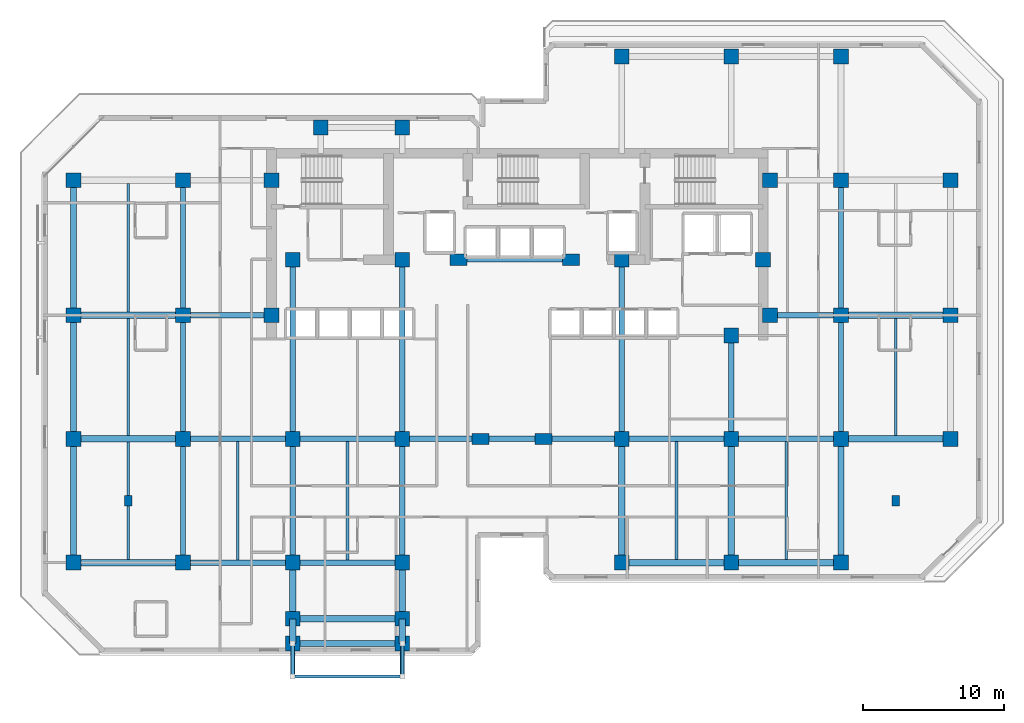
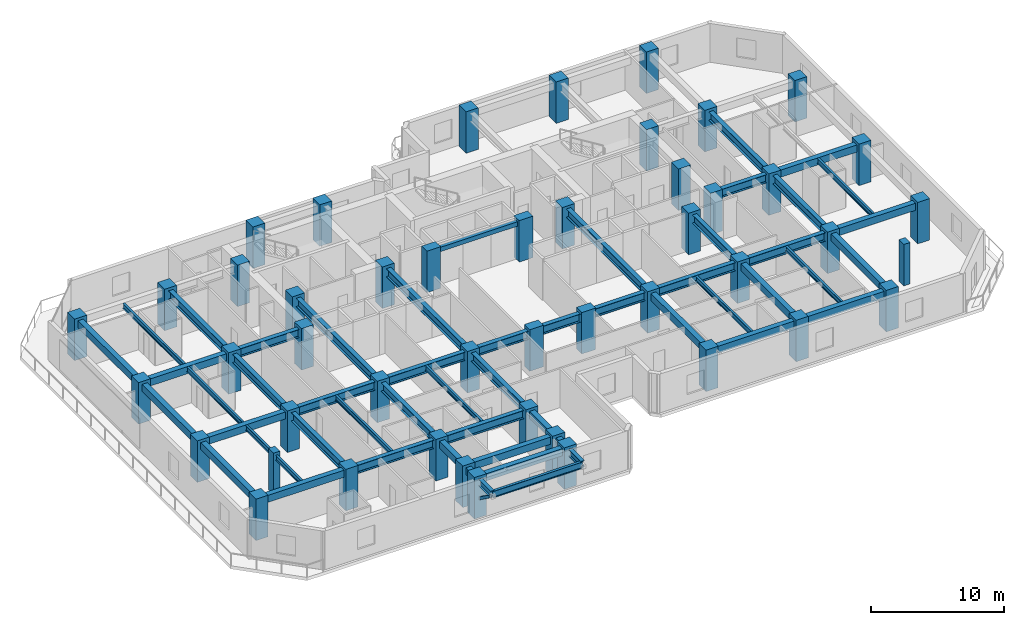
# One storey, part 1 of 11: 53 beams, 47 columns, 2 members.
"""IFC4 building model written with IfcOpenShell, lengths in metres."""

from ifc_helpers import new_model, si_unit, direction, frame, origin, origin_2d, place, context, subcontext, project, spatial, rectangle, hollow_rectangle, i_section, extrude, material, material_profile, profile_set, type_object, element, save


model = new_model("IFC4")

# Units and contexts
model_context = context("Model", 3, precision=1e-05, world=origin(), true_north=direction((0.0, 1.0)))
body_context = subcontext(model_context, "Body", "Model", "MODEL_VIEW")
ifc_project = project(units=[si_unit("LENGTHUNIT", "METRE"), si_unit("AREAUNIT", "SQUARE_METRE"), si_unit("VOLUMEUNIT", "CUBIC_METRE"), si_unit("PLANEANGLEUNIT", "RADIAN"), si_unit("MASSUNIT", "GRAM", prefix="KILO")], contexts=[model_context])

# Site, building, storey
site_placement = place(None, origin())
site = spatial("IfcSite", under=ifc_project, at=site_placement, CompositionType="ELEMENT")
building_placement = place(site_placement, origin())
building = spatial("IfcBuilding", under=site, at=building_placement, Name="Kestravale Grand Hotel", CompositionType="ELEMENT")
storey_placement = place(building_placement, frame((0.0, 0.0, 134.60009765625)))
storey = spatial("IfcBuildingStorey", under=building, at=storey_placement, Name="L33", CompositionType="ELEMENT", Elevation=134.60009765625)

# Columns
ifc_material_1 = material(Name="Concrete f'c 60 MPa", Category="concrete")
ifc_material_profile_1 = material_profile(ifc_material_1, rectangle(XDim=1.050048828125, YDim=1.050048828125, at=origin_2d()))
ifc_profile_set_1 = profile_set([ifc_material_profile_1], Name="Concrete f'c 60 MPa")
column_type_1 = type_object("IfcColumnType", Name="C-Z3-1050", PredefinedType="COLUMN", material=ifc_profile_set_1)
for number, where, z_axis, x_axis, name in (
    (1, (7.800048828125, 11.199951171875, 0.0), (0.0, 0.0, 1.0), (1.0, 0.0, 0.0), "L33 column 2-C"),
    (2, (7.800048828125, 20.0, 0.0), (0.0, 0.0, 1.0), (1.0, 0.0, 0.0), "L33 column 2-D"),
    (3, (7.800048828125, 28.800048828125, 0.0), (0.0, 0.0, 1.0), (1.0, 0.0, 0.0), "L33 column 2-E"),
    (4, (7.800048828125, 38.39990234375, 0.0), (0.0, 0.0, 1.0), (1.0, 0.0, 0.0), "L33 column 2-F"),
    (5, (15.60009765625, 11.199951171875, 0.0), (0.0, 0.0, 1.0), (1.0, 0.0, 0.0), "L33 column 3-C"),
    (6, (15.60009765625, 20.0, 0.0), (0.0, 0.0, 1.0), (1.0, 0.0, 0.0), "L33 column 3-D"),
    (7, (15.60009765625, 28.800048828125, 0.0), (0.0, 0.0, 1.0), (1.0, 0.0, 0.0), "L33 column 3-E"),
    (8, (15.60009765625, 38.39990234375, 0.0), (0.0, 0.0, 1.0), (1.0, 0.0, 0.0), "L33 column 3-F"),
    (9, (23.39990234375, 11.199951171875, 0.0), (0.0, 0.0, 1.0), (1.0, 0.0, 0.0), "L33 column 4-C"),
    (10, (23.39990234375, 20.0, 0.0), (0.0, 0.0, 1.0), (1.0, 0.0, 0.0), "L33 column 4-D"),
    (11, (31.199951171875, 11.199951171875, 0.0), (0.0, 0.0, 1.0), (1.0, 0.0, 0.0), "L33 column 5-C"),
    (12, (31.199951171875, 20.0, 0.0), (0.0, 0.0, 1.0), (1.0, 0.0, 0.0), "L33 column 5-D"),
    (13, (46.800048828125, 11.199951171875, 0.0), (0.0, 0.0, 1.0), (1.0, 0.0, 0.0), "L33 column 8-C"),
    (14, (46.800048828125, 20.0, 0.0), (0.0, 0.0, 1.0), (1.0, 0.0, 0.0), "L33 column 8-D"),
    (15, (46.800048828125, 47.199951171875, 0.0), (0.0, 0.0, 1.0), (1.0, 0.0, 0.0), "L33 column 8-G"),
    (16, (54.60009765625, 11.199951171875, 0.0), (0.0, 0.0, 1.0), (1.0, 0.0, 0.0), "L33 column 9-C"),
    (17, (54.60009765625, 20.0, 0.0), (0.0, 0.0, 1.0), (1.0, 0.0, 0.0), "L33 column 9-D"),
    (18, (54.60009765625, 47.199951171875, 0.0), (0.0, 0.0, 1.0), (1.0, 0.0, 0.0), "L33 column 9-G"),
    (19, (62.39990234375, 11.199951171875, 0.0), (0.0, 0.0, 1.0), (1.0, 0.0, 0.0), "L33 column 10-C"),
    (20, (62.39990234375, 20.0, 0.0), (0.0, 0.0, 1.0), (1.0, 0.0, 0.0), "L33 column 10-D"),
    (21, (62.39990234375, 28.800048828125, 0.0), (0.0, 0.0, 1.0), (1.0, 0.0, 0.0), "L33 column 10-E"),
    (22, (62.39990234375, 38.39990234375, 0.0), (0.0, 0.0, 1.0), (1.0, 0.0, 0.0), "L33 column 10-F"),
    (23, (62.39990234375, 47.199951171875, 0.0), (0.0, 0.0, 1.0), (1.0, 0.0, 0.0), "L33 column 10-G"),
    (24, (70.199951171875, 20.0, 0.0), (0.0, 0.0, 1.0), (1.0, 0.0, 0.0), "L33 column 11-D"),
    (25, (70.199951171875, 28.800048828125, 0.0), (0.0, 0.0, 1.0), (1.0, 0.0, 0.0), "L33 column 11-E"),
    (26, (70.199951171875, 38.39990234375, 0.0), (0.0, 0.0, 1.0), (1.0, 0.0, 0.0), "L33 column 11-F"),
    (27, (21.89990234375, 28.800048828125, 0.0), (0.0, 0.0, 1.0), (1.0, 0.0, 0.0), "L33 column CW-E"),
    (28, (21.89990234375, 38.39990234375, 0.0), (0.0, 0.0, 1.0), (1.0, 0.0, 0.0), "L33 column CW-F"),
    (29, (57.35009765625, 28.800048828125, 0.0), (0.0, 0.0, 1.0), (1.0, 0.0, 0.0), "L33 column CE-E"),
    (30, (57.35009765625, 38.39990234375, 0.0), (0.0, 0.0, 1.0), (1.0, 0.0, 0.0), "L33 column CE-F"),
    (31, (23.39990234375, 32.75, 0.0), (0.0, 0.0, 1.0), (1.0, 0.0, 0.0), "L33 column 4-CS"),
    (32, (31.199951171875, 32.75, 0.0), (0.0, 0.0, 1.0), (1.0, 0.0, 0.0), "L33 column 5-CS"),
    (33, (46.800048828125, 32.75, 0.0), (0.0, 0.0, 1.0), (1.0, 0.0, 0.0), "L33 column 8-CS"),
    (34, (54.60009765625, 27.35009765625, 0.0), (0.0, 0.0, 1.0), (1.0, 0.0, 0.0), "L33 column 9-CS"),
    (35, (56.85009765625, 32.75, 0.0), (0.0, 0.0, 1.0), (1.0, 0.0, 0.0), "L33 column 9C-CS"),
    (36, (23.39990234375, 7.199951171875, 0.0), (0.0, 0.0, 1.0), (1.0, 0.0, 0.0), "L33 column 4-BS"),
    (37, (31.199951171875, 7.199951171875, 0.0), (0.0, 0.0, 1.0), (1.0, 0.0, 0.0), "L33 column 5-BS"),
    (38, (25.39990234375, 42.14990234375, 0.0), (0.0, 0.0, 1.0), (1.0, 0.0, 0.0), "L33 column 4-FN"),
    (39, (31.199951171875, 42.14990234375, 0.0), (0.0, 0.0, 1.0), (1.0, 0.0, 0.0), "L33 column 5-FN"),
    (40, (23.39990234375, 5.449951171875, 0.0), (0.0, 0.0, 1.0), (1.0, 0.0, 0.0), "L33 column 4-B1S"),
    (41, (31.199951171875, 5.449951171875, 0.0), (0.0, 0.0, 1.0), (1.0, 0.0, 0.0), "L33 column 5-B1S"),
):
    element("IfcColumn", number, at=place(storey_placement, frame(where, z_axis=z_axis, x_axis=x_axis)), inside=storey, type_object=column_type_1, Name=name, PredefinedType="COLUMN", context=body_context, shape_type="SweptSolid", body=[
        extrude(rectangle(XDim=1.050048828125, YDim=1.050048828125, at=origin_2d()), origin(), (0.0, 0.0, 1.0), 3.7998046875),
    ])
ifc_material_2 = material(Name="Concrete f'c 60 MPa", Category="concrete")
ifc_material_profile_2 = material_profile(ifc_material_2, rectangle(XDim=1.199951171875, YDim=0.800048828125, at=origin_2d()))
ifc_profile_set_2 = profile_set([ifc_material_profile_2], Name="Concrete f'c 60 MPa")
column_type_2 = type_object("IfcColumnType", Name="C-Z3-1200X800", PredefinedType="COLUMN", material=ifc_profile_set_2)
for number, where, z_axis, x_axis, name in (
    (42, (36.75, 20.0, 0.0), (0.0, 0.0, 1.0), (1.0, 0.0, 0.0), "L33 column 6-D"),
    (43, (41.25, 20.0, 0.0), (0.0, 0.0, 1.0), (1.0, 0.0, 0.0), "L33 column 7-D"),
    (44, (35.199951171875, 32.75, 0.0), (0.0, 0.0, 1.0), (1.0, 0.0, 0.0), "L33 column 6C-CS"),
    (45, (43.199951171875, 32.75, 0.0), (0.0, 0.0, 1.0), (1.0, 0.0, 0.0), "L33 column 7C-CS"),
):
    element("IfcColumn", number, at=place(storey_placement, frame(where, z_axis=z_axis, x_axis=x_axis)), inside=storey, type_object=column_type_2, Name=name, PredefinedType="COLUMN", context=body_context, shape_type="SweptSolid", body=[
        extrude(rectangle(XDim=1.199951171875, YDim=0.800048828125, at=origin_2d()), origin(), (0.0, 0.0, 1.0), 3.7998046875),
    ])
ifc_material_3 = material(Name="Precast concrete f'c 45 MPa", Category="concrete")
ifc_material_profile_3 = material_profile(ifc_material_3, rectangle(XDim=0.550048828125, YDim=0.75, at=origin_2d()))
ifc_profile_set_3 = profile_set([ifc_material_profile_3], Name="Precast concrete f'c 45 MPa")
column_type_3 = type_object("IfcColumnType", Name="C-Z3-PIL750", PredefinedType="PILASTER", material=ifc_profile_set_3)
for number, where, z_axis, x_axis, name in (
    (46, (11.699951171875, 15.60009765625, 0.0), (0.0, 0.0, 1.0), (1.0, 0.0, 0.0), "L33 Art Deco fluted pilaster P1"),
    (47, (66.300048828125, 15.60009765625, 0.0), (0.0, 0.0, 1.0), (1.0, 0.0, 0.0), "L33 Art Deco fluted pilaster P2"),
):
    element("IfcColumn", number, at=place(storey_placement, frame(where, z_axis=z_axis, x_axis=x_axis)), inside=storey, type_object=column_type_3, Name=name, PredefinedType="PILASTER", context=body_context, shape_type="SweptSolid", body=[
        extrude(rectangle(XDim=0.550048828125, YDim=0.75, at=origin_2d()), origin(), (0.0, 0.0, 1.0), 3.7998046875),
    ])

# Beams
ifc_material_4 = material(Name="Steel ASTM A992 Grade 50", Category="steel")
ifc_material_profile_4 = material_profile(ifc_material_4, i_section(OverallWidth=0.19091796875, OverallDepth=0.45703125, WebThickness=0.009033203125, FlangeThickness=0.014404296875, FilletRadius=0.015380859375, at=origin_2d()))
ifc_profile_set_4 = profile_set([ifc_material_profile_4], Name="Steel ASTM A992 Grade 50")
beam_type_1 = type_object("IfcBeamType", Name="B-FLR-JST18", PredefinedType="JOIST", material=ifc_profile_set_4)
for number, where, z_axis, x_axis, name in (
    (48, (11.699951171875, 11.425048828125, 3.3212890625), (0.0, 1.0, 0.0), (-1.0, 0.0, 0.0), "L33 floor joist 2-3/C-D #1"),
    (49, (11.699951171875, 20.22509765625, 3.3212890625), (0.0, 1.0, 0.0), (-1.0, 0.0, 0.0), "L33 floor joist 2-3/D-E #1"),
):
    element("IfcBeam", number, at=place(storey_placement, frame(where, z_axis=z_axis, x_axis=x_axis)), inside=storey, type_object=beam_type_1, Name=name, PredefinedType="JOIST", context=body_context, shape_type="SweptSolid", body=[
        extrude(i_section(OverallWidth=0.19091796875, OverallDepth=0.45703125, WebThickness=0.009033203125, FlangeThickness=0.014404296875, FilletRadius=0.015380859375, at=origin_2d()), origin(), (0.0, 0.0, 1.0), 8.349853515625),
    ])
beam_1_placement = place(storey_placement, frame((11.699951171875, 29.02490234375, 3.3212890625), z_axis=(0.0, 1.0, 0.0), x_axis=(-1.0, 0.0, 0.0)))
element("IfcBeam", 50, at=beam_1_placement, inside=storey, type_object=beam_type_1, Name="L33 floor joist 2-3/E-F #1", PredefinedType="JOIST", context=body_context, shape_type="SweptSolid", body=[
    extrude(i_section(OverallWidth=0.19091796875, OverallDepth=0.45703125, WebThickness=0.009033203125, FlangeThickness=0.014404296875, FilletRadius=0.015380859375, at=origin_2d()), origin(), (0.0, 0.0, 1.0), 9.150146484375),
])
for number, where, z_axis, x_axis, name in (
    (51, (19.5, 11.390380859375, 3.3212890625), (0.0, 1.0, 0.0), (-1.0, 0.0, 0.0), "L33 floor joist 3-4/C-D #1"),
    (52, (27.300048828125, 11.390380859375, 3.3212890625), (0.0, 1.0, 0.0), (-1.0, 0.0, 0.0), "L33 floor joist 4-5/C-D #1"),
):
    element("IfcBeam", number, at=place(storey_placement, frame(where, z_axis=z_axis, x_axis=x_axis)), inside=storey, type_object=beam_type_1, Name=name, PredefinedType="JOIST", context=body_context, shape_type="SweptSolid", body=[
        extrude(i_section(OverallWidth=0.19091796875, OverallDepth=0.45703125, WebThickness=0.009033203125, FlangeThickness=0.014404296875, FilletRadius=0.015380859375, at=origin_2d()), origin(), (0.0, 0.0, 1.0), 8.419189453125),
    ])
for number, where, z_axis, x_axis, name in (
    (53, (50.699951171875, 11.425048828125, 3.3212890625), (0.0, 1.0, 0.0), (-1.0, 0.0, 0.0), "L33 floor joist 8-9/C-D #1"),
    (54, (58.5, 11.425048828125, 3.3212890625), (0.0, 1.0, 0.0), (-1.0, 0.0, 0.0), "L33 floor joist 9-10/C-D #1"),
):
    element("IfcBeam", number, at=place(storey_placement, frame(where, z_axis=z_axis, x_axis=x_axis)), inside=storey, type_object=beam_type_1, Name=name, PredefinedType="JOIST", context=body_context, shape_type="SweptSolid", body=[
        extrude(i_section(OverallWidth=0.19091796875, OverallDepth=0.45703125, WebThickness=0.009033203125, FlangeThickness=0.014404296875, FilletRadius=0.015380859375, at=origin_2d()), origin(), (0.0, 0.0, 1.0), 8.384521484375),
    ])
beam_2_placement = place(storey_placement, frame((66.300048828125, 20.22509765625, 3.3212890625), z_axis=(0.0, 1.0, 0.0), x_axis=(-1.0, 0.0, 0.0)))
element("IfcBeam", 55, at=beam_2_placement, inside=storey, type_object=beam_type_1, Name="L33 floor joist 10-11/D-E #1", PredefinedType="JOIST", context=body_context, shape_type="SweptSolid", body=[
    extrude(i_section(OverallWidth=0.19091796875, OverallDepth=0.45703125, WebThickness=0.009033203125, FlangeThickness=0.014404296875, FilletRadius=0.015380859375, at=origin_2d()), origin(), (0.0, 0.0, 1.0), 8.349853515625),
])
ifc_material_5 = material(Name="Concrete f'c 45 MPa", Category="concrete")
ifc_material_profile_5 = material_profile(ifc_material_5, rectangle(XDim=0.300048828125, YDim=0.39990234375, at=origin_2d()))
ifc_profile_set_5 = profile_set([ifc_material_profile_5], Name="Concrete f'c 45 MPa")
beam_type_2 = type_object("IfcBeamType", Name="B-FLR-LNT400", PredefinedType="LINTEL", material=ifc_profile_set_5)
beam_3_placement = place(storey_placement, frame((35.199951171875, 32.75, 3.349853515625), z_axis=(1.0, 0.0, 0.0), x_axis=(0.0, 1.0, 0.0)))
element("IfcBeam", 56, at=beam_3_placement, inside=storey, type_object=beam_type_2, Name="L33 core portal header lintel", PredefinedType="LINTEL", context=body_context, shape_type="SweptSolid", body=[
    extrude(rectangle(XDim=0.300048828125, YDim=0.39990234375, at=origin_2d()), origin(), (0.0, 0.0, 1.0), 8.0),
])
ifc_material_6 = material(Name="Concrete f'c 45 MPa", Category="concrete")
ifc_material_profile_6 = material_profile(ifc_material_6, rectangle(XDim=0.449951171875, YDim=0.64990234375, at=origin_2d()))
ifc_profile_set_6 = profile_set([ifc_material_profile_6], Name="Concrete f'c 45 MPa")
beam_type_3 = type_object("IfcBeamType", Name="B-FLR-RC650", PredefinedType="SPANDREL", material=ifc_profile_set_6)
for number, where, z_axis, x_axis, name in (
    (57, (7.800048828125, 11.199951171875, 3.224853515625), (1.0, 0.0, 0.0), (0.0, 1.0, 0.0), "L33 spandrel C:2-3"),
    (58, (46.800048828125, 11.199951171875, 3.224853515625), (1.0, 0.0, 0.0), (0.0, 1.0, 0.0), "L33 spandrel C:8-9"),
):
    element("IfcBeam", number, at=place(storey_placement, frame(where, z_axis=z_axis, x_axis=x_axis)), inside=storey, type_object=beam_type_3, Name=name, PredefinedType="SPANDREL", context=body_context, shape_type="SweptSolid", body=[
        extrude(rectangle(XDim=0.449951171875, YDim=0.64990234375, at=origin_2d()), origin(), (0.0, 0.0, 1.0), 7.800048828125),
    ])
beam_4_placement = place(storey_placement, frame((54.60009765625, 11.199951171875, 3.224853515625), z_axis=(1.0, 0.0, 0.0), x_axis=(0.0, 1.0, 0.0)))
element("IfcBeam", 59, at=beam_4_placement, inside=storey, type_object=beam_type_3, Name="L33 spandrel C:9-10", PredefinedType="SPANDREL", context=body_context, shape_type="SweptSolid", body=[
    extrude(rectangle(XDim=0.449951171875, YDim=0.64990234375, at=origin_2d()), origin(), (0.0, 0.0, 1.0), 7.7998046875),
])
for number, where, z_axis, x_axis, name in (
    (60, (7.800048828125, 20.0, 3.224853515625), (1.0, 0.0, 0.0), (0.0, 1.0, 0.0), "L33 spandrel D:2-3"),
    (61, (62.39990234375, 20.0, 3.224853515625), (1.0, 0.0, 0.0), (0.0, 1.0, 0.0), "L33 spandrel D:10-11"),
    (62, (7.800048828125, 28.800048828125, 3.224853515625), (1.0, 0.0, 0.0), (0.0, 1.0, 0.0), "L33 spandrel E:2-3"),
    (63, (62.39990234375, 28.800048828125, 3.224853515625), (1.0, 0.0, 0.0), (0.0, 1.0, 0.0), "L33 spandrel E:10-11"),
    (64, (23.39990234375, 5.449951171875, 3.224853515625), (1.0, 0.0, 0.0), (0.0, 1.0, 0.0), "L33 perimeter tie spandrel B1S:4-5"),
    (65, (23.39990234375, 7.199951171875, 3.224853515625), (1.0, 0.0, 0.0), (0.0, 1.0, 0.0), "L33 perimeter tie spandrel BS:4-5"),
):
    element("IfcBeam", number, at=place(storey_placement, frame(where, z_axis=z_axis, x_axis=x_axis)), inside=storey, type_object=beam_type_3, Name=name, PredefinedType="SPANDREL", context=body_context, shape_type="SweptSolid", body=[
        extrude(rectangle(XDim=0.449951171875, YDim=0.64990234375, at=origin_2d()), origin(), (0.0, 0.0, 1.0), 7.800048828125),
    ])
for number, where, z_axis, x_axis, name in (
    (66, (7.800048828125, 11.199951171875, 3.224853515625), (0.0, 1.0, 0.0), (-1.0, 0.0, 0.0), "L33 spandrel 2:C-D"),
    (67, (7.800048828125, 20.0, 3.224853515625), (0.0, 1.0, 0.0), (-1.0, 0.0, 0.0), "L33 spandrel 2:D-E"),
):
    element("IfcBeam", number, at=place(storey_placement, frame(where, z_axis=z_axis, x_axis=x_axis)), inside=storey, type_object=beam_type_3, Name=name, PredefinedType="SPANDREL", context=body_context, shape_type="SweptSolid", body=[
        extrude(rectangle(XDim=0.449951171875, YDim=0.64990234375, at=origin_2d()), origin(), (0.0, 0.0, 1.0), 8.800048828125),
    ])
beam_5_placement = place(storey_placement, frame((7.800048828125, 28.800048828125, 3.224853515625), z_axis=(0.0, 1.0, 0.0), x_axis=(-1.0, 0.0, 0.0)))
element("IfcBeam", 68, at=beam_5_placement, inside=storey, type_object=beam_type_3, Name="L33 spandrel 2:E-F", PredefinedType="SPANDREL", context=body_context, shape_type="SweptSolid", body=[
    extrude(rectangle(XDim=0.449951171875, YDim=0.64990234375, at=origin_2d()), origin(), (0.0, 0.0, 1.0), 9.599853515625),
])
beam_6_placement = place(storey_placement, frame((23.39990234375, 5.449951171875, 3.224853515625), z_axis=(0.0, 1.0, 0.0), x_axis=(-1.0, 0.0, 0.0)))
element("IfcBeam", 69, at=beam_6_placement, inside=storey, type_object=beam_type_3, Name="L33 spandrel 4:B1S-BS", PredefinedType="SPANDREL", context=body_context, shape_type="SweptSolid", body=[
    extrude(rectangle(XDim=0.449951171875, YDim=0.64990234375, at=origin_2d()), origin(), (0.0, 0.0, 1.0), 1.75),
])
beam_7_placement = place(storey_placement, frame((23.39990234375, 7.199951171875, 3.224853515625), z_axis=(0.0, 1.0, 0.0), x_axis=(-1.0, 0.0, 0.0)))
element("IfcBeam", 70, at=beam_7_placement, inside=storey, type_object=beam_type_3, Name="L33 spandrel 4:BS-C", PredefinedType="SPANDREL", context=body_context, shape_type="SweptSolid", body=[
    extrude(rectangle(XDim=0.449951171875, YDim=0.64990234375, at=origin_2d()), origin(), (0.0, 0.0, 1.0), 4.0),
])
beam_8_placement = place(storey_placement, frame((31.199951171875, 5.449951171875, 3.224853515625), z_axis=(0.0, 1.0, 0.0), x_axis=(-1.0, 0.0, 0.0)))
element("IfcBeam", 71, at=beam_8_placement, inside=storey, type_object=beam_type_3, Name="L33 spandrel 5:B1S-BS", PredefinedType="SPANDREL", context=body_context, shape_type="SweptSolid", body=[
    extrude(rectangle(XDim=0.449951171875, YDim=0.64990234375, at=origin_2d()), origin(), (0.0, 0.0, 1.0), 1.75),
])
beam_9_placement = place(storey_placement, frame((31.199951171875, 7.199951171875, 3.224853515625), z_axis=(0.0, 1.0, 0.0), x_axis=(-1.0, 0.0, 0.0)))
element("IfcBeam", 72, at=beam_9_placement, inside=storey, type_object=beam_type_3, Name="L33 spandrel 5:BS-C", PredefinedType="SPANDREL", context=body_context, shape_type="SweptSolid", body=[
    extrude(rectangle(XDim=0.449951171875, YDim=0.64990234375, at=origin_2d()), origin(), (0.0, 0.0, 1.0), 4.0),
])
for number, where, z_axis, x_axis, name in (
    (73, (46.800048828125, 11.199951171875, 3.224853515625), (0.0, 1.0, 0.0), (-1.0, 0.0, 0.0), "L33 spandrel 8:C-D"),
    (74, (54.60009765625, 11.199951171875, 3.224853515625), (0.0, 1.0, 0.0), (-1.0, 0.0, 0.0), "L33 spandrel 9:C-D"),
    (75, (62.39990234375, 11.199951171875, 3.224853515625), (0.0, 1.0, 0.0), (-1.0, 0.0, 0.0), "L33 spandrel 10:C-D"),
):
    element("IfcBeam", number, at=place(storey_placement, frame(where, z_axis=z_axis, x_axis=x_axis)), inside=storey, type_object=beam_type_3, Name=name, PredefinedType="SPANDREL", context=body_context, shape_type="SweptSolid", body=[
        extrude(rectangle(XDim=0.449951171875, YDim=0.64990234375, at=origin_2d()), origin(), (0.0, 0.0, 1.0), 8.800048828125),
    ])
ifc_material_7 = material(Name="Steel ASTM A992 Grade 50", Category="steel")
ifc_material_profile_7 = material_profile(ifc_material_7, i_section(OverallWidth=0.324951171875, OverallDepth=0.612060546875, WebThickness=0.0126953125, FlangeThickness=0.01904296875, FilletRadius=0.018798828125, at=origin_2d()))
ifc_profile_set_7 = profile_set([ifc_material_profile_7], Name="Steel ASTM A992 Grade 50")
beam_type_4 = type_object("IfcBeamType", Name="B-FLR-W24A", PredefinedType="SPANDREL", material=ifc_profile_set_7)
for number, where, z_axis, x_axis, name in (
    (76, (23.39990234375, 5.449951171875, 3.223876953125), (0.0, -1.0, 0.0), (1.0, 0.0, 0.0), "L34 terrace cantilever beam 1"),
    (77, (31.199951171875, 5.449951171875, 3.223876953125), (0.0, -1.0, 0.0), (1.0, 0.0, 0.0), "L34 terrace cantilever beam 2"),
):
    element("IfcBeam", number, at=place(storey_placement, frame(where, z_axis=z_axis, x_axis=x_axis)), inside=storey, type_object=beam_type_4, Name=name, PredefinedType="SPANDREL", context=body_context, shape_type="SweptSolid", body=[
        extrude(i_section(OverallWidth=0.324951171875, OverallDepth=0.612060546875, WebThickness=0.0126953125, FlangeThickness=0.01904296875, FilletRadius=0.018798828125, at=origin_2d()), origin(), (0.0, 0.0, 1.0), 2.349853515625),
    ])
ifc_material_8 = material(Name="Steel ASTM A992 Grade 50", Category="steel")
ifc_material_profile_8 = material_profile(ifc_material_8, i_section(OverallWidth=0.22900390625, OverallDepth=0.612060546875, WebThickness=0.011962890625, FlangeThickness=0.01953125, FilletRadius=0.019287109375, at=origin_2d()))
ifc_profile_set_8 = profile_set([ifc_material_profile_8], Name="Steel ASTM A992 Grade 50")
beam_type_5 = type_object("IfcBeamType", Name="B-FLR-W24B", PredefinedType="SPANDREL", material=ifc_profile_set_8)
beam_10_placement = place(storey_placement, frame((23.39990234375, 3.10009765625, 3.223876953125), z_axis=(1.0, 0.0, 0.0), x_axis=(0.0, 1.0, 0.0)))
element("IfcBeam", 78, at=beam_10_placement, inside=storey, type_object=beam_type_5, Name="L34 terrace edge spandrel", PredefinedType="SPANDREL", context=body_context, shape_type="SweptSolid", body=[
    extrude(i_section(OverallWidth=0.22900390625, OverallDepth=0.612060546875, WebThickness=0.011962890625, FlangeThickness=0.01953125, FilletRadius=0.019287109375, at=origin_2d()), origin(), (0.0, 0.0, 1.0), 7.800048828125),
])
ifc_material_9 = material(Name="Steel ASTM A992 Grade 50", Category="steel")
ifc_material_profile_9 = material_profile(ifc_material_9, i_section(OverallWidth=0.381103515625, OverallDepth=0.77197265625, WebThickness=0.0166015625, FlangeThickness=0.027099609375, FilletRadius=0.023681640625, at=origin_2d()))
ifc_profile_set_9 = profile_set([ifc_material_profile_9], Name="Steel ASTM A992 Grade 50")
beam_type_6 = type_object("IfcBeamType", Name="B-GRD-W30", PredefinedType="BEAM", material=ifc_profile_set_9)
beam_11_placement = place(storey_placement, frame((15.60009765625, 11.199951171875, 3.163818359375), z_axis=(1.0, 0.0, 0.0), x_axis=(0.0, 1.0, 0.0)))
element("IfcBeam", 79, at=beam_11_placement, inside=storey, type_object=beam_type_6, Name="L33 girder C:3-4", PredefinedType="BEAM", context=body_context, shape_type="SweptSolid", body=[
    extrude(i_section(OverallWidth=0.381103515625, OverallDepth=0.77197265625, WebThickness=0.0166015625, FlangeThickness=0.027099609375, FilletRadius=0.023681640625, at=origin_2d()), origin(), (0.0, 0.0, 1.0), 7.7998046875),
])
beam_12_placement = place(storey_placement, frame((23.39990234375, 11.199951171875, 3.163818359375), z_axis=(1.0, 0.0, 0.0), x_axis=(0.0, 1.0, 0.0)))
element("IfcBeam", 80, at=beam_12_placement, inside=storey, type_object=beam_type_6, Name="L33 girder C:4-5", PredefinedType="BEAM", context=body_context, shape_type="SweptSolid", body=[
    extrude(i_section(OverallWidth=0.381103515625, OverallDepth=0.77197265625, WebThickness=0.0166015625, FlangeThickness=0.027099609375, FilletRadius=0.023681640625, at=origin_2d()), origin(), (0.0, 0.0, 1.0), 7.800048828125),
])
beam_13_placement = place(storey_placement, frame((15.60009765625, 20.0, 3.163818359375), z_axis=(1.0, 0.0, 0.0), x_axis=(0.0, 1.0, 0.0)))
element("IfcBeam", 81, at=beam_13_placement, inside=storey, type_object=beam_type_6, Name="L33 girder D:3-4", PredefinedType="BEAM", context=body_context, shape_type="SweptSolid", body=[
    extrude(i_section(OverallWidth=0.381103515625, OverallDepth=0.77197265625, WebThickness=0.0166015625, FlangeThickness=0.027099609375, FilletRadius=0.023681640625, at=origin_2d()), origin(), (0.0, 0.0, 1.0), 7.7998046875),
])
beam_14_placement = place(storey_placement, frame((23.39990234375, 20.0, 3.163818359375), z_axis=(1.0, 0.0, 0.0), x_axis=(0.0, 1.0, 0.0)))
element("IfcBeam", 82, at=beam_14_placement, inside=storey, type_object=beam_type_6, Name="L33 girder D:4-5", PredefinedType="BEAM", context=body_context, shape_type="SweptSolid", body=[
    extrude(i_section(OverallWidth=0.381103515625, OverallDepth=0.77197265625, WebThickness=0.0166015625, FlangeThickness=0.027099609375, FilletRadius=0.023681640625, at=origin_2d()), origin(), (0.0, 0.0, 1.0), 7.800048828125),
])
beam_15_placement = place(storey_placement, frame((31.199951171875, 20.0, 3.163818359375), z_axis=(1.0, 0.0, 0.0), x_axis=(0.0, 1.0, 0.0)))
element("IfcBeam", 83, at=beam_15_placement, inside=storey, type_object=beam_type_6, Name="L33 girder D:5-6", PredefinedType="BEAM", context=body_context, shape_type="SweptSolid", body=[
    extrude(i_section(OverallWidth=0.381103515625, OverallDepth=0.77197265625, WebThickness=0.0166015625, FlangeThickness=0.027099609375, FilletRadius=0.023681640625, at=origin_2d()), origin(), (0.0, 0.0, 1.0), 5.550048828125),
])
beam_16_placement = place(storey_placement, frame((36.75, 20.0, 3.163818359375), z_axis=(1.0, 0.0, 0.0), x_axis=(0.0, 1.0, 0.0)))
element("IfcBeam", 84, at=beam_16_placement, inside=storey, type_object=beam_type_6, Name="L33 girder D:6-7", PredefinedType="BEAM", context=body_context, shape_type="SweptSolid", body=[
    extrude(i_section(OverallWidth=0.381103515625, OverallDepth=0.77197265625, WebThickness=0.0166015625, FlangeThickness=0.027099609375, FilletRadius=0.023681640625, at=origin_2d()), origin(), (0.0, 0.0, 1.0), 4.5),
])
beam_17_placement = place(storey_placement, frame((41.25, 20.0, 3.163818359375), z_axis=(1.0, 0.0, 0.0), x_axis=(0.0, 1.0, 0.0)))
element("IfcBeam", 85, at=beam_17_placement, inside=storey, type_object=beam_type_6, Name="L33 girder D:7-8", PredefinedType="BEAM", context=body_context, shape_type="SweptSolid", body=[
    extrude(i_section(OverallWidth=0.381103515625, OverallDepth=0.77197265625, WebThickness=0.0166015625, FlangeThickness=0.027099609375, FilletRadius=0.023681640625, at=origin_2d()), origin(), (0.0, 0.0, 1.0), 5.550048828125),
])
beam_18_placement = place(storey_placement, frame((46.800048828125, 20.0, 3.163818359375), z_axis=(1.0, 0.0, 0.0), x_axis=(0.0, 1.0, 0.0)))
element("IfcBeam", 86, at=beam_18_placement, inside=storey, type_object=beam_type_6, Name="L33 girder D:8-9", PredefinedType="BEAM", context=body_context, shape_type="SweptSolid", body=[
    extrude(i_section(OverallWidth=0.381103515625, OverallDepth=0.77197265625, WebThickness=0.0166015625, FlangeThickness=0.027099609375, FilletRadius=0.023681640625, at=origin_2d()), origin(), (0.0, 0.0, 1.0), 7.800048828125),
])
beam_19_placement = place(storey_placement, frame((54.60009765625, 20.0, 3.163818359375), z_axis=(1.0, 0.0, 0.0), x_axis=(0.0, 1.0, 0.0)))
element("IfcBeam", 87, at=beam_19_placement, inside=storey, type_object=beam_type_6, Name="L33 girder D:9-10", PredefinedType="BEAM", context=body_context, shape_type="SweptSolid", body=[
    extrude(i_section(OverallWidth=0.381103515625, OverallDepth=0.77197265625, WebThickness=0.0166015625, FlangeThickness=0.027099609375, FilletRadius=0.023681640625, at=origin_2d()), origin(), (0.0, 0.0, 1.0), 7.7998046875),
])
beam_20_placement = place(storey_placement, frame((15.60009765625, 28.800048828125, 3.163818359375), z_axis=(1.0, 0.0, 0.0), x_axis=(0.0, 1.0, 0.0)))
element("IfcBeam", 88, at=beam_20_placement, inside=storey, type_object=beam_type_6, Name="L33 girder E:3-CW", PredefinedType="BEAM", context=body_context, shape_type="SweptSolid", body=[
    extrude(i_section(OverallWidth=0.381103515625, OverallDepth=0.77197265625, WebThickness=0.0166015625, FlangeThickness=0.027099609375, FilletRadius=0.023681640625, at=origin_2d()), origin(), (0.0, 0.0, 1.0), 6.2998046875),
])
beam_21_placement = place(storey_placement, frame((57.35009765625, 28.800048828125, 3.163818359375), z_axis=(1.0, 0.0, 0.0), x_axis=(0.0, 1.0, 0.0)))
element("IfcBeam", 89, at=beam_21_placement, inside=storey, type_object=beam_type_6, Name="L33 girder E:CE-10", PredefinedType="BEAM", context=body_context, shape_type="SweptSolid", body=[
    extrude(i_section(OverallWidth=0.381103515625, OverallDepth=0.77197265625, WebThickness=0.0166015625, FlangeThickness=0.027099609375, FilletRadius=0.023681640625, at=origin_2d()), origin(), (0.0, 0.0, 1.0), 5.0498046875),
])
for number, where, z_axis, x_axis, name in (
    (90, (15.60009765625, 11.199951171875, 3.163818359375), (0.0, 1.0, 0.0), (-1.0, 0.0, 0.0), "L33 girder 3:C-D"),
    (91, (15.60009765625, 20.0, 3.163818359375), (0.0, 1.0, 0.0), (-1.0, 0.0, 0.0), "L33 girder 3:D-E"),
):
    element("IfcBeam", number, at=place(storey_placement, frame(where, z_axis=z_axis, x_axis=x_axis)), inside=storey, type_object=beam_type_6, Name=name, PredefinedType="BEAM", context=body_context, shape_type="SweptSolid", body=[
        extrude(i_section(OverallWidth=0.381103515625, OverallDepth=0.77197265625, WebThickness=0.0166015625, FlangeThickness=0.027099609375, FilletRadius=0.023681640625, at=origin_2d()), origin(), (0.0, 0.0, 1.0), 8.800048828125),
    ])
beam_22_placement = place(storey_placement, frame((15.60009765625, 28.800048828125, 3.163818359375), z_axis=(0.0, 1.0, 0.0), x_axis=(-1.0, 0.0, 0.0)))
element("IfcBeam", 92, at=beam_22_placement, inside=storey, type_object=beam_type_6, Name="L33 girder 3:E-F", PredefinedType="BEAM", context=body_context, shape_type="SweptSolid", body=[
    extrude(i_section(OverallWidth=0.381103515625, OverallDepth=0.77197265625, WebThickness=0.0166015625, FlangeThickness=0.027099609375, FilletRadius=0.023681640625, at=origin_2d()), origin(), (0.0, 0.0, 1.0), 9.599853515625),
])
beam_23_placement = place(storey_placement, frame((23.39990234375, 11.199951171875, 3.163818359375), z_axis=(0.0, 1.0, 0.0), x_axis=(-1.0, 0.0, 0.0)))
element("IfcBeam", 93, at=beam_23_placement, inside=storey, type_object=beam_type_6, Name="L33 girder 4:C-D", PredefinedType="BEAM", context=body_context, shape_type="SweptSolid", body=[
    extrude(i_section(OverallWidth=0.381103515625, OverallDepth=0.77197265625, WebThickness=0.0166015625, FlangeThickness=0.027099609375, FilletRadius=0.023681640625, at=origin_2d()), origin(), (0.0, 0.0, 1.0), 8.800048828125),
])
beam_24_placement = place(storey_placement, frame((23.39990234375, 20.0, 3.163818359375), z_axis=(0.0, 1.0, 0.0), x_axis=(-1.0, 0.0, 0.0)))
element("IfcBeam", 94, at=beam_24_placement, inside=storey, type_object=beam_type_6, Name="L33 girder 4:D-CS", PredefinedType="BEAM", context=body_context, shape_type="SweptSolid", body=[
    extrude(i_section(OverallWidth=0.381103515625, OverallDepth=0.77197265625, WebThickness=0.0166015625, FlangeThickness=0.027099609375, FilletRadius=0.023681640625, at=origin_2d()), origin(), (0.0, 0.0, 1.0), 12.75),
])
beam_25_placement = place(storey_placement, frame((31.199951171875, 11.199951171875, 3.163818359375), z_axis=(0.0, 1.0, 0.0), x_axis=(-1.0, 0.0, 0.0)))
element("IfcBeam", 95, at=beam_25_placement, inside=storey, type_object=beam_type_6, Name="L33 girder 5:C-D", PredefinedType="BEAM", context=body_context, shape_type="SweptSolid", body=[
    extrude(i_section(OverallWidth=0.381103515625, OverallDepth=0.77197265625, WebThickness=0.0166015625, FlangeThickness=0.027099609375, FilletRadius=0.023681640625, at=origin_2d()), origin(), (0.0, 0.0, 1.0), 8.800048828125),
])
for number, where, z_axis, x_axis, name in (
    (96, (31.199951171875, 20.0, 3.163818359375), (0.0, 1.0, 0.0), (-1.0, 0.0, 0.0), "L33 girder 5:D-CS"),
    (97, (46.800048828125, 20.0, 3.163818359375), (0.0, 1.0, 0.0), (-1.0, 0.0, 0.0), "L33 girder 8:D-CS"),
):
    element("IfcBeam", number, at=place(storey_placement, frame(where, z_axis=z_axis, x_axis=x_axis)), inside=storey, type_object=beam_type_6, Name=name, PredefinedType="BEAM", context=body_context, shape_type="SweptSolid", body=[
        extrude(i_section(OverallWidth=0.381103515625, OverallDepth=0.77197265625, WebThickness=0.0166015625, FlangeThickness=0.027099609375, FilletRadius=0.023681640625, at=origin_2d()), origin(), (0.0, 0.0, 1.0), 12.75),
    ])
beam_26_placement = place(storey_placement, frame((54.60009765625, 20.0, 3.163818359375), z_axis=(0.0, 1.0, 0.0), x_axis=(-1.0, 0.0, 0.0)))
element("IfcBeam", 98, at=beam_26_placement, inside=storey, type_object=beam_type_6, Name="L33 girder 9:D-CS", PredefinedType="BEAM", context=body_context, shape_type="SweptSolid", body=[
    extrude(i_section(OverallWidth=0.381103515625, OverallDepth=0.77197265625, WebThickness=0.0166015625, FlangeThickness=0.027099609375, FilletRadius=0.023681640625, at=origin_2d()), origin(), (0.0, 0.0, 1.0), 7.35009765625),
])
beam_27_placement = place(storey_placement, frame((62.39990234375, 20.0, 3.163818359375), z_axis=(0.0, 1.0, 0.0), x_axis=(-1.0, 0.0, 0.0)))
element("IfcBeam", 99, at=beam_27_placement, inside=storey, type_object=beam_type_6, Name="L33 girder 10:D-E", PredefinedType="BEAM", context=body_context, shape_type="SweptSolid", body=[
    extrude(i_section(OverallWidth=0.381103515625, OverallDepth=0.77197265625, WebThickness=0.0166015625, FlangeThickness=0.027099609375, FilletRadius=0.023681640625, at=origin_2d()), origin(), (0.0, 0.0, 1.0), 8.800048828125),
])
beam_28_placement = place(storey_placement, frame((62.39990234375, 28.800048828125, 3.163818359375), z_axis=(0.0, 1.0, 0.0), x_axis=(-1.0, 0.0, 0.0)))
element("IfcBeam", 100, at=beam_28_placement, inside=storey, type_object=beam_type_6, Name="L33 girder 10:E-F", PredefinedType="BEAM", context=body_context, shape_type="SweptSolid", body=[
    extrude(i_section(OverallWidth=0.381103515625, OverallDepth=0.77197265625, WebThickness=0.0166015625, FlangeThickness=0.027099609375, FilletRadius=0.023681640625, at=origin_2d()), origin(), (0.0, 0.0, 1.0), 9.599853515625),
])

# Members
ifc_material_10 = material(Name="Steel ASTM A500 Grade C", Category="steel")
ifc_material_profile_10 = material_profile(ifc_material_10, hollow_rectangle(XDim=0.25, YDim=0.25, WallThickness=0.011962890625, InnerFilletRadius=0.011962890625, OuterFilletRadius=0.02392578125, at=origin_2d()))
ifc_profile_set_10 = profile_set([ifc_material_profile_10], Name="Steel ASTM A500 Grade C")
member_type = type_object("IfcMemberType", Name="M-BLT-STR250", PredefinedType="STRUT", material=ifc_profile_set_10)
for number, where, z_axis, x_axis, name in (
    (101, (23.39990234375, 5.449951171875, 1.3740234375), (0.0, -0.810215054775, 0.586132719626), (1.0, 0.0, 0.0), "L34 terrace knee-brace strut 1"),
    (102, (31.199951171875, 5.449951171875, 1.3740234375), (0.0, -0.810215054775, 0.586132719626), (1.0, 0.0, 0.0), "L34 terrace knee-brace strut 2"),
):
    element("IfcMember", number, at=place(storey_placement, frame(where, z_axis=z_axis, x_axis=x_axis)), inside=storey, type_object=member_type, Name=name, PredefinedType="STRUT", context=body_context, shape_type="SweptSolid", body=[
        extrude(hollow_rectangle(XDim=0.25, YDim=0.25, WallThickness=0.011962890625, InnerFilletRadius=0.011962890625, OuterFilletRadius=0.02392578125, at=origin_2d()), origin(), (0.0, 0.0, 1.0), 2.900390625),
    ])

save(model, "model.ifc")
